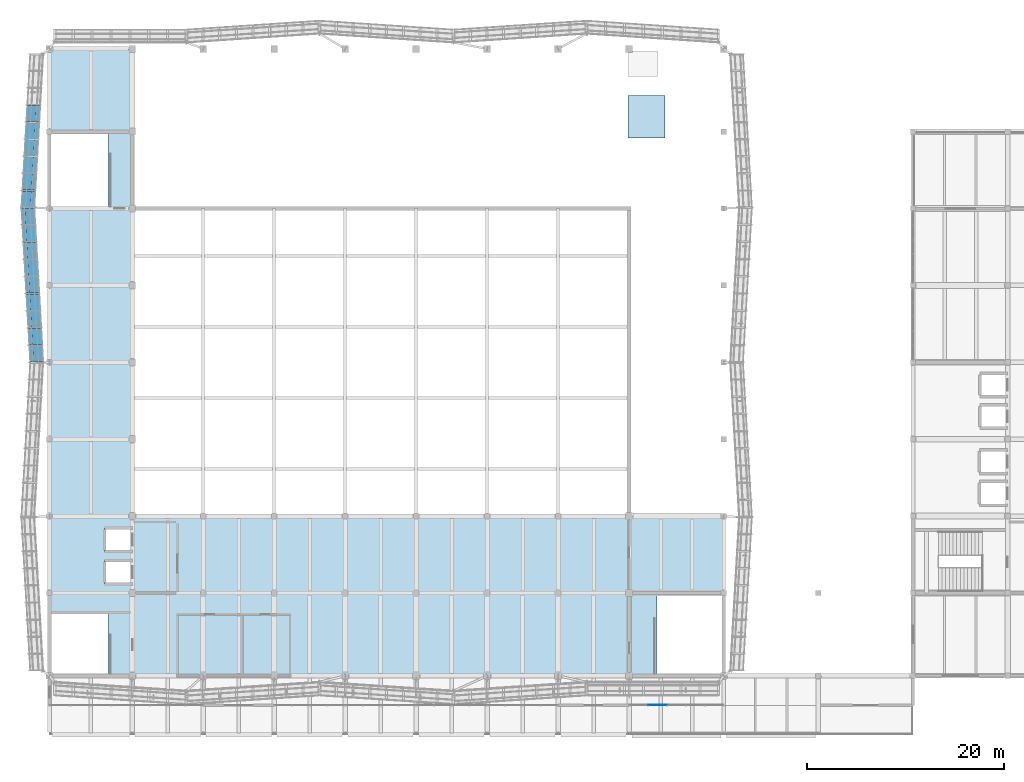
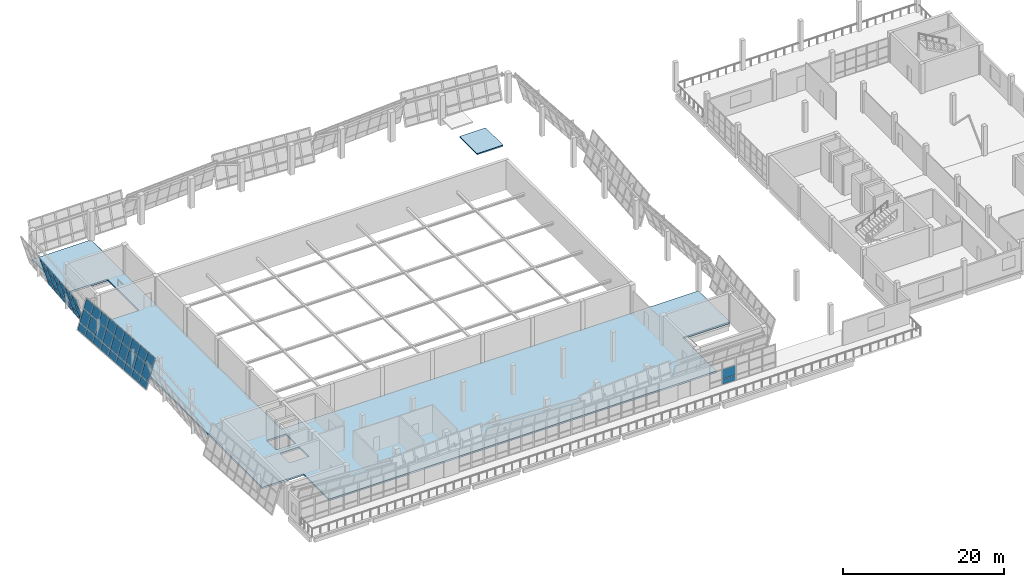
# One storey, part 38 of 67: 47 plates, 2 slabs, 3 elements without a shape of their own.
"""IFC4 building model written with IfcOpenShell, lengths in metres."""

from ifc_helpers import new_model, si_unit, direction, frame, origin, place, context, subcontext, project, spatial, polyline, outline, extrude, material, layer, layer_set, type_object, element, aggregate, save


model = new_model("IFC4")

# Units and contexts
model_context = context("Model", 3, precision=1e-05, world=origin(), true_north=direction((0.0, 1.0)))
body_context = subcontext(model_context, "Body", "Model", "MODEL_VIEW")
ifc_project = project(units=[si_unit("LENGTHUNIT", "METRE"), si_unit("AREAUNIT", "SQUARE_METRE"), si_unit("VOLUMEUNIT", "CUBIC_METRE"), si_unit("PLANEANGLEUNIT", "RADIAN"), si_unit("MASSUNIT", "GRAM", prefix="KILO")], contexts=[model_context])

# Site, building, storey
site_placement = place(None, origin())
site = spatial("IfcSite", under=ifc_project, at=site_placement, CompositionType="ELEMENT")
building_placement = place(site_placement, origin())
building = spatial("IfcBuilding", under=site, at=building_placement, Name="Pellamere Symphony Hall", CompositionType="ELEMENT")
storey_placement = place(building_placement, frame((0.0, 0.0, 19.5)))
storey = spatial("IfcBuildingStorey", under=building, at=storey_placement, Name="L04", CompositionType="ELEMENT", Elevation=19.5)

# Curtain wall, plates
ifc_material_1 = material(Name="Thermally Broken Anodised Aluminium 6063-T6 Curtain Wall", Category="aluminium")
curtain_wall_type_1 = type_object("IfcCurtainWallType", Name="Curtain Wall CW-01 (Tilted Faceted Crystal Low-Iron Curtain Wall)", PredefinedType="NOTDEFINED", material=ifc_material_1)
curtain_wall_1_placement = place(storey_placement, origin())
curtain_wall_1 = element("IfcCurtainWall", 1, at=curtain_wall_1_placement, inside=storey, type_object=curtain_wall_type_1, Name="Crystal Faceted Curtain Wall CW-CR15 (L04)", PredefinedType="NOTDEFINED")
ifc_material_2 = material(Name="Triple Laminated Acoustic Crystal Glazing 42mm", Category="glass")
ifc_layer_1 = layer(ifc_material_2, 0.0419921875, Name="Triple Laminated Acoustic Crystal Glazing 42mm")
ifc_layer_set_1 = layer_set([ifc_layer_1], Name="Triple Laminated Acoustic Crystal Glazing 42mm")
plate_type_1 = type_object("IfcPlateType", Name="Facade Panel GL-02 42mm", PredefinedType="CURTAIN_PANEL", material=ifc_layer_set_1)
plate_1_placement = place(storey_placement, frame((49.426513671875, 87.862548828125, 0.072021484375), z_axis=(0.95737017047, -0.055246445874, 0.283531633003), x_axis=(-0.057610619545, -0.998339129012, 0.0)))
plate_1 = element("IfcPlate", 2, at=plate_1_placement, type_object=plate_type_1, Name="CW1-041 crystal glass panel 4.1", PredefinedType="CURTAIN_PANEL", context=body_context, shape_type="SweptSolid", body=[
    extrude(outline(polyline([(0.0, 0.0), (1.6612063149993754, 3.469446951953614e-18), (1.6777890592484324, -1.0135155846352601), (0.0165827442490568, -1.0135155846352604), (0.0, 0.0)])), origin(), (0.0, 0.0, -1.0), 0.0419921875),
])
plate_2_placement = place(storey_placement, frame((49.1171875, 87.862548828125, 1.115966796875), z_axis=(0.957351997497, -0.055245397176, 0.283593192759), x_axis=(-0.057610619545, -0.998339129012, 0.0)))
plate_2 = element("IfcPlate", 3, at=plate_2_placement, type_object=plate_type_1, Name="CW1-041 crystal glass panel 4.2", PredefinedType="CURTAIN_PANEL", context=body_context, shape_type="SweptSolid", body=[
    extrude(outline(polyline([(0.0, 0.0), (1.6612063149993754, 3.469446951953614e-18), (1.6922339094127932, -1.8959542407330272), (0.031027594413417556, -1.8959542407330272), (0.0, 0.0)])), origin(), (0.0, 0.0, -1.0), 0.0419921875),
])
plate_3_placement = place(storey_placement, frame((48.557373046875, 87.862548828125, 3.005859375), z_axis=(0.957375213306, -0.055246736879, 0.283514548147), x_axis=(-0.057610619545, -0.998339129012, 0.0)))
plate_3 = element("IfcPlate", 4, at=plate_3_placement, type_object=plate_type_1, Name="CW1-041 crystal glass panel 4.3", PredefinedType="CURTAIN_PANEL", context=body_context, shape_type="SweptSolid", body=[
    extrude(outline(polyline([(0.0, 0.0), (1.6612063149993754, 6.938893903907228e-18), (1.685468599842143, -1.482968395744147), (0.02426228484276758, -1.482968395744147), (0.0, 0.0)])), origin(), (0.0, 0.0, -1.0), 0.0419921875),
])
plate_4_placement = place(storey_placement, frame((49.32666015625, 86.129150390625, 0.072021484375), z_axis=(0.957304871124, -0.05524267768, 0.283752762604), x_axis=(-0.057610619545, -0.998339129012, 0.0)))
plate_4 = element("IfcPlate", 5, at=plate_4_placement, type_object=plate_type_1, Name="CW1-041 crystal glass panel 5.1", PredefinedType="CURTAIN_PANEL", context=body_context, shape_type="SweptSolid", body=[
    extrude(outline(polyline([(0.0, 0.0), (1.6612063149993754, 0.0), (1.677803124341095, -1.0135847182066644), (0.01659680934171927, -1.0135847182066644), (0.0, 0.0)])), origin(), (0.0, 0.0, -1.0), 0.0419921875),
])
plate_5_placement = place(storey_placement, frame((49.017333984375, 86.129150390625, 1.115966796875), z_axis=(0.957351997497, -0.055245397176, 0.283593192759), x_axis=(-0.057610619545, -0.998339129012, 0.0)))
plate_5 = element("IfcPlate", 6, at=plate_5_placement, type_object=plate_type_1, Name="CW1-041 crystal glass panel 5.2", PredefinedType="CURTAIN_PANEL", context=body_context, shape_type="SweptSolid", body=[
    extrude(outline(polyline([(0.0, 0.0), (1.6612063149993754, 3.469446951953614e-18), (1.6922339094127932, -1.8959542407330272), (0.031027594413417556, -1.8959542407330272), (0.0, 0.0)])), origin(), (0.0, 0.0, -1.0), 0.0419921875),
])
plate_6_placement = place(storey_placement, frame((48.45751953125, 86.129150390625, 3.005859375), z_axis=(0.957330592308, -0.055244161959, 0.283665682802), x_axis=(-0.057610619545, -0.998339129012, 0.0)))
plate_6 = element("IfcPlate", 7, at=plate_6_placement, type_object=plate_type_1, Name="CW1-041 crystal glass panel 5.3", PredefinedType="CURTAIN_PANEL", context=body_context, shape_type="SweptSolid", body=[
    extrude(outline(polyline([(0.0, 0.0), (1.6612063149993754, 0.0), (1.6854826649348056, -1.4830375166207674), (0.024276349935430055, -1.4830375166207674), (0.0, 0.0)])), origin(), (0.0, 0.0, -1.0), 0.0419921875),
])
plate_7_placement = place(storey_placement, frame((49.2265625, 84.39599609375, 0.072021484375), z_axis=(0.957304871124, -0.05524267768, 0.283752762604), x_axis=(-0.057610619545, -0.998339129012, 0.0)))
plate_7 = element("IfcPlate", 8, at=plate_7_placement, type_object=plate_type_1, Name="CW1-041 crystal glass panel 6.1", PredefinedType="CURTAIN_PANEL", context=body_context, shape_type="SweptSolid", body=[
    extrude(outline(polyline([(0.0, 0.0), (1.6612063149993754, 0.0), (1.677803124341095, -1.0135847182066644), (0.01659680934171927, -1.0135847182066644), (0.0, 0.0)])), origin(), (0.0, 0.0, -1.0), 0.0419921875),
])
plate_8_placement = place(storey_placement, frame((48.917236328125, 84.39599609375, 1.115966796875), z_axis=(0.957351997497, -0.055245397176, 0.283593192759), x_axis=(-0.057610619545, -0.998339129012, 0.0)))
plate_8 = element("IfcPlate", 9, at=plate_8_placement, type_object=plate_type_1, Name="CW1-041 crystal glass panel 6.2", PredefinedType="CURTAIN_PANEL", context=body_context, shape_type="SweptSolid", body=[
    extrude(outline(polyline([(0.0, 0.0), (1.6612063149993754, 3.469446951953614e-18), (1.6922339094127932, -1.8959542407330272), (0.031027594413417556, -1.8959542407330272), (0.0, 0.0)])), origin(), (0.0, 0.0, -1.0), 0.0419921875),
])
plate_9_placement = place(storey_placement, frame((48.357421875, 84.39599609375, 3.005859375), z_axis=(0.957356629816, -0.055175198082, 0.283591221416), x_axis=(-0.057543270249, -0.998343013023, 1.9950465e-05)))
plate_9 = element("IfcPlate", 10, at=plate_9_placement, type_object=plate_type_1, Name="CW1-041 crystal glass panel 6.3", PredefinedType="CURTAIN_PANEL", context=body_context, shape_type="SweptSolid", body=[
    extrude(outline(polyline([(0.0, 0.0), (1.661206310888692, 0.0), (1.6854686040128641, -1.4829683910039115), (0.024276341774135235, -1.4830375121498305), (0.0, 0.0)])), origin(), (0.0, 0.0, -1.0), 0.0419921875),
])
plate_10_placement = place(storey_placement, frame((49.12646484375, 82.66259765625, 0.072021484375), z_axis=(0.95737017047, -0.055246445874, 0.283531633003), x_axis=(-0.057610619545, -0.998339129012, 0.0)))
plate_10 = element("IfcPlate", 11, at=plate_10_placement, type_object=plate_type_1, Name="CW1-041 crystal glass panel 7.1", PredefinedType="CURTAIN_PANEL", context=body_context, shape_type="SweptSolid", body=[
    extrude(outline(polyline([(0.0, 0.0), (1.6612063149993754, 3.469446951953614e-18), (1.6777890592484324, -1.0135155846352601), (0.0165827442490568, -1.0135155846352604), (0.0, 0.0)])), origin(), (0.0, 0.0, -1.0), 0.0419921875),
])
plate_11_placement = place(storey_placement, frame((48.8173828125, 82.66259765625, 1.115966796875), z_axis=(0.957351997497, -0.055245397176, 0.283593192759), x_axis=(-0.057610619545, -0.998339129012, 0.0)))
plate_11 = element("IfcPlate", 12, at=plate_11_placement, type_object=plate_type_1, Name="CW1-041 crystal glass panel 7.2", PredefinedType="CURTAIN_PANEL", context=body_context, shape_type="SweptSolid", body=[
    extrude(outline(polyline([(0.0, 0.0), (1.6612063149993754, 3.469446951953614e-18), (1.6922339094127932, -1.8959542407330272), (0.031027594413417556, -1.8959542407330272), (0.0, 0.0)])), origin(), (0.0, 0.0, -1.0), 0.0419921875),
])
plate_12_placement = place(storey_placement, frame((48.25732421875, 82.66259765625, 3.005859375), z_axis=(0.957375213306, -0.055246736879, 0.283514548147), x_axis=(-0.057610619545, -0.998339129012, 0.0)))
plate_12 = element("IfcPlate", 13, at=plate_12_placement, type_object=plate_type_1, Name="CW1-041 crystal glass panel 7.3", PredefinedType="CURTAIN_PANEL", context=body_context, shape_type="SweptSolid", body=[
    extrude(outline(polyline([(0.0, 0.0), (1.6612063149993754, 6.938893903907228e-18), (1.685468599842143, -1.482968395744147), (0.02426228484276758, -1.482968395744147), (0.0, 0.0)])), origin(), (0.0, 0.0, -1.0), 0.0419921875),
])
plate_13_placement = place(storey_placement, frame((49.026611328125, 80.92919921875, 0.072021484375), z_axis=(0.957304871124, -0.05524267768, 0.283752762604), x_axis=(-0.057610619545, -0.998339129012, 0.0)))
plate_13 = element("IfcPlate", 14, at=plate_13_placement, type_object=plate_type_1, Name="CW1-041 crystal glass panel 8.1", PredefinedType="CURTAIN_PANEL", context=body_context, shape_type="SweptSolid", body=[
    extrude(outline(polyline([(0.0, 0.0), (1.6612063149993754, 0.0), (1.677803124341095, -1.0135847182066644), (0.01659680934171927, -1.0135847182066644), (0.0, 0.0)])), origin(), (0.0, 0.0, -1.0), 0.0419921875),
])
plate_14_placement = place(storey_placement, frame((48.71728515625, 80.92919921875, 1.115966796875), z_axis=(0.957351997497, -0.055245397176, 0.283593192759), x_axis=(-0.057610619545, -0.998339129012, 0.0)))
plate_14 = element("IfcPlate", 15, at=plate_14_placement, type_object=plate_type_1, Name="CW1-041 crystal glass panel 8.2", PredefinedType="CURTAIN_PANEL", context=body_context, shape_type="SweptSolid", body=[
    extrude(outline(polyline([(0.0, 0.0), (1.6612063149993754, 3.469446951953614e-18), (1.6922339094127932, -1.8959542407330272), (0.031027594413417556, -1.8959542407330272), (0.0, 0.0)])), origin(), (0.0, 0.0, -1.0), 0.0419921875),
])
plate_15_placement = place(storey_placement, frame((48.157470703125, 80.92919921875, 3.005859375), z_axis=(0.957330592308, -0.055244161959, 0.283665682802), x_axis=(-0.057610619545, -0.998339129012, 0.0)))
plate_15 = element("IfcPlate", 16, at=plate_15_placement, type_object=plate_type_1, Name="CW1-041 crystal glass panel 8.3", PredefinedType="CURTAIN_PANEL", context=body_context, shape_type="SweptSolid", body=[
    extrude(outline(polyline([(0.0, 0.0), (1.6612063149993754, 0.0), (1.6854826649348056, -1.4830375166207674), (0.024276349935430055, -1.4830375166207674), (0.0, 0.0)])), origin(), (0.0, 0.0, -1.0), 0.0419921875),
])
plate_16_placement = place(storey_placement, frame((48.926513671875, 79.19580078125, 0.072021484375), z_axis=(0.957371033771, -0.0552301711, 0.283531888675), x_axis=(-0.057593652861, -0.998340107954, 0.0)))
plate_16 = element("IfcPlate", 17, at=plate_16_placement, type_object=plate_type_1, Name="CW1-041 crystal glass panel 9.1", PredefinedType="CURTAIN_PANEL", context=body_context, shape_type="SweptSolid", body=[
    extrude(outline(polyline([(0.0, 0.0), (1.6235445180063734, 6.938893903907228e-18), (1.6401223785345782, -1.0135156645290149), (0.016577860528204754, -1.0135156645290149), (0.0, 0.0)])), origin(), (0.0, 0.0, -1.0), 0.0419921875),
])
plate_17_placement = place(storey_placement, frame((48.6171875, 79.19580078125, 1.115966796875), z_axis=(0.95735286075, -0.055229122709, 0.283593448478), x_axis=(-0.057593652861, -0.998340107954, 0.0)))
plate_17 = element("IfcPlate", 18, at=plate_17_placement, type_object=plate_type_1, Name="CW1-041 crystal glass panel 9.2", PredefinedType="CURTAIN_PANEL", context=body_context, shape_type="SweptSolid", body=[
    extrude(outline(polyline([(0.0, 0.0), (1.6235445180063734, 0.0), (1.6545629746011314, -1.8959543902528653), (0.031018456594758003, -1.8959543902528653), (0.0, 0.0)])), origin(), (0.0, 0.0, -1.0), 0.0419921875),
])
plate_18_placement = place(storey_placement, frame((48.057373046875, 79.19580078125, 3.005859375), z_axis=(0.957376076622, -0.055230462019, 0.283514803806), x_axis=(-0.057593652861, -0.998340107954, 0.0)))
plate_18 = element("IfcPlate", 19, at=plate_18_placement, type_object=plate_type_1, Name="CW1-041 crystal glass panel 9.3", PredefinedType="CURTAIN_PANEL", context=body_context, shape_type="SweptSolid", body=[
    extrude(outline(polyline([(0.0, 0.0), (1.6235445180063734, 0.0), (1.647799657456037, -1.4829685126300012), (0.024255139449663444, -1.4829685126300012), (0.0, 0.0)])), origin(), (0.0, 0.0, -1.0), 0.0419921875),
])
aggregate(curtain_wall_1, [plate_1, plate_2, plate_3, plate_4, plate_5, plate_6, plate_7, plate_8, plate_9, plate_10, plate_11, plate_12, plate_13, plate_14, plate_15, plate_16, plate_17, plate_18])

curtain_wall_2_placement = place(storey_placement, origin())
curtain_wall_2 = element("IfcCurtainWall", 20, at=curtain_wall_2_placement, inside=storey, type_object=curtain_wall_type_1, Name="Crystal Faceted Curtain Wall CW-CR16 (L04)", PredefinedType="NOTDEFINED")
plate_19_placement = place(storey_placement, frame((47.54248046875, 77.425048828125, 0.072021484375), z_axis=(-0.957354651322, -0.054920794133, 0.283647277376), x_axis=(0.057279062662, -0.998358206542, 2.0277049e-05)))
plate_19 = element("IfcPlate", 21, at=plate_19_placement, type_object=plate_type_1, Name="CW1-046 crystal glass panel 1.1", PredefinedType="CURTAIN_PANEL", context=body_context, shape_type="SweptSolid", body=[
    extrude(outline(polyline([(0.0, 0.0), (1.6347704518540747, 0.0), (1.6512774679209214, 1.0135168141025692), (0.016521000213004483, 1.0135859499603574), (0.0, 0.0)])), origin(), (0.0, 0.0, -1.0), 0.0419921875),
])
plate_20_placement = place(storey_placement, frame((47.851806640625, 77.425048828125, 1.115966796875), z_axis=(-0.957372886168, -0.054850234166, 0.283599380541), x_axis=(0.057198647566, -0.998362817175, 0.0)))
plate_20 = element("IfcPlate", 22, at=plate_20_placement, type_object=plate_type_1, Name="CW1-046 crystal glass panel 1.2", PredefinedType="CURTAIN_PANEL", context=body_context, shape_type="SweptSolid", body=[
    extrude(outline(polyline([(0.0, 0.0), (1.6347564733470132, 0.0), (1.665562190273358, 1.8959578588073336), (0.03080571692634491, 1.8959578588073336), (0.0, 0.0)])), origin(), (0.0, 0.0, -1.0), 0.0419921875),
])
plate_21_placement = place(storey_placement, frame((48.41162109375, 77.425048828125, 3.005859375), z_axis=(-0.957370031361, -0.054921676444, 0.283595191264), x_axis=(0.057279060463, -0.998358206668, 2.0273651e-05)))
plate_21 = element("IfcPlate", 23, at=plate_21_placement, type_object=plate_type_1, Name="CW1-046 crystal glass panel 1.3", PredefinedType="CURTAIN_PANEL", context=body_context, shape_type="SweptSolid", body=[
    extrude(outline(polyline([(0.0, 0.0), (1.6347704518539405, -3.469446951953614e-18), (1.6589219345971065, 1.4829701997900355), (0.02416546688878671, 1.4830393229524153), (0.0, 0.0)])), origin(), (0.0, 0.0, -1.0), 0.0419921875),
])
plate_22_placement = place(storey_placement, frame((47.640380859375, 75.718017578125, 0.072021484375), z_axis=(-0.957324034181, -0.054880231266, 0.283758442686), x_axis=(0.057232737422, -0.998360863499, 0.0)))
plate_22 = element("IfcPlate", 24, at=plate_22_placement, type_object=plate_type_1, Name="CW1-046 crystal glass panel 2.1", PredefinedType="CURTAIN_PANEL", context=body_context, shape_type="SweptSolid", body=[
    extrude(outline(polyline([(0.0, 0.0), (1.6721745160346768, -6.938893903907228e-18), (1.6886624628505897, 1.013586494914077), (0.01648794681591293, 1.013586494914077), (0.0, 0.0)])), origin(), (0.0, 0.0, -1.0), 0.0419921875),
])
plate_23_placement = place(storey_placement, frame((47.94970703125, 75.718017578125, 1.115966796875), z_axis=(-0.957371163384, -0.054882933028, 0.283598870206), x_axis=(0.057232737422, -0.998360863499, 0.0)))
plate_23 = element("IfcPlate", 25, at=plate_23_placement, type_object=plate_type_1, Name="CW1-046 crystal glass panel 2.2", PredefinedType="CURTAIN_PANEL", context=body_context, shape_type="SweptSolid", body=[
    extrude(outline(polyline([(0.0, 0.0), (1.6721745160346768, 3.469446951953614e-18), (1.7029985928786633, 1.8959575604045968), (0.030824076843986373, 1.895957560404597), (0.0, 0.0)])), origin(), (0.0, 0.0, -1.0), 0.0419921875),
])
plate_24_placement = place(storey_placement, frame((48.509521484375, 75.718017578125, 3.005859375), z_axis=(-0.95734975691, -0.054881705866, 0.283671361447), x_axis=(0.057232737422, -0.998360863499, 0.0)))
plate_24 = element("IfcPlate", 26, at=plate_24_placement, type_object=plate_type_1, Name="CW1-046 crystal glass panel 2.3", PredefinedType="CURTAIN_PANEL", context=body_context, shape_type="SweptSolid", body=[
    extrude(outline(polyline([(0.0, 0.0), (1.6721745160346768, -3.469446951953614e-18), (1.6962916314620207, 1.4830401146342416), (0.024117115427343825, 1.4830401146342416), (0.0, 0.0)])), origin(), (0.0, 0.0, -1.0), 0.0419921875),
])
plate_25_placement = place(storey_placement, frame((47.740478515625, 73.9736328125, 0.072021484375), z_axis=(-0.957389337449, -0.054883974887, 0.283537309433), x_axis=(0.057232737422, -0.998360863499, 0.0)))
plate_25 = element("IfcPlate", 27, at=plate_25_placement, type_object=plate_type_1, Name="CW1-046 crystal glass panel 3.1", PredefinedType="CURTAIN_PANEL", context=body_context, shape_type="SweptSolid", body=[
    extrude(outline(polyline([(0.0, 0.0), (1.6721745160346768, 3.469446951953614e-18), (1.688648490014305, 1.01351735845357), (0.016473973979628256, 1.01351735845357), (0.0, 0.0)])), origin(), (0.0, 0.0, -1.0), 0.0419921875),
])
plate_26_placement = place(storey_placement, frame((48.0498046875, 73.9736328125, 1.115966796875), z_axis=(-0.957371163384, -0.054882933028, 0.283598870206), x_axis=(0.057232737422, -0.998360863499, 0.0)))
plate_26 = element("IfcPlate", 28, at=plate_26_placement, type_object=plate_type_1, Name="CW1-046 crystal glass panel 3.2", PredefinedType="CURTAIN_PANEL", context=body_context, shape_type="SweptSolid", body=[
    extrude(outline(polyline([(0.0, 0.0), (1.6721745160346768, 3.469446951953614e-18), (1.7029985928786633, 1.8959575604045968), (0.030824076843986373, 1.895957560404597), (0.0, 0.0)])), origin(), (0.0, 0.0, -1.0), 0.0419921875),
])
plate_27_placement = place(storey_placement, frame((48.609619140625, 73.9736328125, 3.005859375), z_axis=(-0.957394380588, -0.054884263994, 0.283520224294), x_axis=(0.057232737422, -0.998360863499, 0.0)))
plate_27 = element("IfcPlate", 29, at=plate_27_placement, type_object=plate_type_1, Name="CW1-046 crystal glass panel 3.3", PredefinedType="CURTAIN_PANEL", context=body_context, shape_type="SweptSolid", body=[
    extrude(outline(polyline([(0.0, 0.0), (1.6721745160346768, 3.469446951953614e-18), (1.696277658625736, 1.482970990869004), (0.02410314259105915, 1.482970990869004), (0.0, 0.0)])), origin(), (0.0, 0.0, -1.0), 0.0419921875),
])
plate_28_placement = place(storey_placement, frame((47.84033203125, 72.229248046875, 0.072021484375), z_axis=(-0.957324455748, -0.054872230831, 0.283758567642), x_axis=(0.057224396245, -0.998361341637, 0.0)))
plate_28 = element("IfcPlate", 30, at=plate_28_placement, type_object=plate_type_1, Name="CW1-046 crystal glass panel 4.1", PredefinedType="CURTAIN_PANEL", context=body_context, shape_type="SweptSolid", body=[
    extrude(outline(polyline([(0.0, 0.0), (1.6724182565382377, 0.0), (1.6889038003784336, 1.0135865340002803), (0.016485543840195648, 1.0135865340002805), (0.0, 0.0)])), origin(), (0.0, 0.0, -1.0), 0.0419921875),
])
plate_29_placement = place(storey_placement, frame((48.149658203125, 72.229248046875, 1.115966796875), z_axis=(-0.957371585014, -0.054874932201, 0.283598995104), x_axis=(0.057224396245, -0.998361341637, 0.0)))
plate_29 = element("IfcPlate", 31, at=plate_29_placement, type_object=plate_type_1, Name="CW1-046 crystal glass panel 4.2", PredefinedType="CURTAIN_PANEL", context=body_context, shape_type="SweptSolid", body=[
    extrude(outline(polyline([(0.0, 0.0), (1.6724182565382377, 3.469446951953614e-18), (1.703237841039485, 1.895957633434831), (0.030819584501247117, 1.895957633434831), (0.0, 0.0)])), origin(), (0.0, 0.0, -1.0), 0.0419921875),
])
plate_30_placement = place(storey_placement, frame((48.70947265625, 72.229248046875, 3.005859375), z_axis=(-0.957350178511, -0.054873705217, 0.283671486371), x_axis=(0.057224396245, -0.998361341637, 0.0)))
plate_30 = element("IfcPlate", 32, at=plate_30_placement, type_object=plate_type_1, Name="CW1-046 crystal glass panel 4.3", PredefinedType="CURTAIN_PANEL", context=body_context, shape_type="SweptSolid", body=[
    extrude(outline(polyline([(0.0, 0.0), (1.6724182565382377, 3.469446951953614e-18), (1.69653185710449, 1.48304017178855), (0.024113600566252277, 1.48304017178855), (0.0, 0.0)])), origin(), (0.0, 0.0, -1.0), 0.0419921875),
])
plate_31_placement = place(storey_placement, frame((47.9404296875, 70.48486328125, 0.072021484375), z_axis=(-0.957324455748, -0.054872230831, 0.283758567642), x_axis=(0.057224396245, -0.998361341637, 0.0)))
plate_31 = element("IfcPlate", 33, at=plate_31_placement, type_object=plate_type_1, Name="CW1-046 crystal glass panel 5.1", PredefinedType="CURTAIN_PANEL", context=body_context, shape_type="SweptSolid", body=[
    extrude(outline(polyline([(0.0, 0.0), (1.6724182565382377, 0.0), (1.6889038003784336, 1.0135865340002803), (0.016485543840195648, 1.0135865340002805), (0.0, 0.0)])), origin(), (0.0, 0.0, -1.0), 0.0419921875),
])
plate_32_placement = place(storey_placement, frame((48.249755859375, 70.48486328125, 1.115966796875), z_axis=(-0.957371585014, -0.054874932201, 0.283598995104), x_axis=(0.057224396245, -0.998361341637, 0.0)))
plate_32 = element("IfcPlate", 34, at=plate_32_placement, type_object=plate_type_1, Name="CW1-046 crystal glass panel 5.2", PredefinedType="CURTAIN_PANEL", context=body_context, shape_type="SweptSolid", body=[
    extrude(outline(polyline([(0.0, 0.0), (1.6724182565382377, 3.469446951953614e-18), (1.703237841039485, 1.895957633434831), (0.030819584501247117, 1.895957633434831), (0.0, 0.0)])), origin(), (0.0, 0.0, -1.0), 0.0419921875),
])
plate_33_placement = place(storey_placement, frame((48.8095703125, 70.48486328125, 3.005859375), z_axis=(-0.957350178511, -0.054873705217, 0.283671486371), x_axis=(0.057224396245, -0.998361341637, 0.0)))
plate_33 = element("IfcPlate", 35, at=plate_33_placement, type_object=plate_type_1, Name="CW1-046 crystal glass panel 5.3", PredefinedType="CURTAIN_PANEL", context=body_context, shape_type="SweptSolid", body=[
    extrude(outline(polyline([(0.0, 0.0), (1.6724182565382377, 3.469446951953614e-18), (1.69653185710449, 1.48304017178855), (0.024113600566252277, 1.48304017178855), (0.0, 0.0)])), origin(), (0.0, 0.0, -1.0), 0.0419921875),
])
plate_34_placement = place(storey_placement, frame((48.04052734375, 68.740234375, 0.072021484375), z_axis=(-0.957389337449, -0.054883974887, 0.283537309433), x_axis=(0.057232737422, -0.998360863499, 0.0)))
plate_34 = element("IfcPlate", 36, at=plate_34_placement, type_object=plate_type_1, Name="CW1-046 crystal glass panel 6.1", PredefinedType="CURTAIN_PANEL", context=body_context, shape_type="SweptSolid", body=[
    extrude(outline(polyline([(0.0, 0.0), (1.6721745160346768, 3.469446951953614e-18), (1.688648490014305, 1.01351735845357), (0.016473973979628256, 1.01351735845357), (0.0, 0.0)])), origin(), (0.0, 0.0, -1.0), 0.0419921875),
])
plate_35_placement = place(storey_placement, frame((48.349609375, 68.740234375, 1.115966796875), z_axis=(-0.957371163384, -0.054882933028, 0.283598870206), x_axis=(0.057232737422, -0.998360863499, 0.0)))
plate_35 = element("IfcPlate", 37, at=plate_35_placement, type_object=plate_type_1, Name="CW1-046 crystal glass panel 6.2", PredefinedType="CURTAIN_PANEL", context=body_context, shape_type="SweptSolid", body=[
    extrude(outline(polyline([(0.0, 0.0), (1.6721745160346768, 3.469446951953614e-18), (1.7029985928786633, 1.8959575604045968), (0.030824076843986373, 1.895957560404597), (0.0, 0.0)])), origin(), (0.0, 0.0, -1.0), 0.0419921875),
])
plate_36_placement = place(storey_placement, frame((48.90966796875, 68.740234375, 3.005859375), z_axis=(-0.957394380588, -0.054884263994, 0.283520224294), x_axis=(0.057232737422, -0.998360863499, 0.0)))
plate_36 = element("IfcPlate", 38, at=plate_36_placement, type_object=plate_type_1, Name="CW1-046 crystal glass panel 6.3", PredefinedType="CURTAIN_PANEL", context=body_context, shape_type="SweptSolid", body=[
    extrude(outline(polyline([(0.0, 0.0), (1.6721745160346768, 3.469446951953614e-18), (1.696277658625736, 1.482970990869004), (0.02410314259105915, 1.482970990869004), (0.0, 0.0)])), origin(), (0.0, 0.0, -1.0), 0.0419921875),
])
plate_37_placement = place(storey_placement, frame((48.140380859375, 66.995849609375, 0.072021484375), z_axis=(-0.957324034181, -0.054880231266, 0.283758442686), x_axis=(0.057232737422, -0.998360863499, 0.0)))
plate_37 = element("IfcPlate", 39, at=plate_37_placement, type_object=plate_type_1, Name="CW1-046 crystal glass panel 7.1", PredefinedType="CURTAIN_PANEL", context=body_context, shape_type="SweptSolid", body=[
    extrude(outline(polyline([(0.0, 0.0), (1.6721745160346768, -6.938893903907228e-18), (1.6886624628505897, 1.013586494914077), (0.01648794681591293, 1.013586494914077), (0.0, 0.0)])), origin(), (0.0, 0.0, -1.0), 0.0419921875),
])
plate_38_placement = place(storey_placement, frame((48.44970703125, 66.995849609375, 1.115966796875), z_axis=(-0.957371163384, -0.054882933028, 0.283598870206), x_axis=(0.057232737422, -0.998360863499, 0.0)))
plate_38 = element("IfcPlate", 40, at=plate_38_placement, type_object=plate_type_1, Name="CW1-046 crystal glass panel 7.2", PredefinedType="CURTAIN_PANEL", context=body_context, shape_type="SweptSolid", body=[
    extrude(outline(polyline([(0.0, 0.0), (1.6721745160346768, 3.469446951953614e-18), (1.7029985928786633, 1.8959575604045968), (0.030824076843986373, 1.895957560404597), (0.0, 0.0)])), origin(), (0.0, 0.0, -1.0), 0.0419921875),
])
plate_39_placement = place(storey_placement, frame((49.009521484375, 66.995849609375, 3.005859375), z_axis=(-0.95734975691, -0.054881705866, 0.283671361447), x_axis=(0.057232737422, -0.998360863499, 0.0)))
plate_39 = element("IfcPlate", 41, at=plate_39_placement, type_object=plate_type_1, Name="CW1-046 crystal glass panel 7.3", PredefinedType="CURTAIN_PANEL", context=body_context, shape_type="SweptSolid", body=[
    extrude(outline(polyline([(0.0, 0.0), (1.6721745160346768, -3.469446951953614e-18), (1.6962916314620207, 1.4830401146342416), (0.024117115427343825, 1.4830401146342416), (0.0, 0.0)])), origin(), (0.0, 0.0, -1.0), 0.0419921875),
])
plate_40_placement = place(storey_placement, frame((48.240478515625, 65.25146484375, 0.072021484375), z_axis=(-0.957389759102, -0.05487597391, 0.283537434308), x_axis=(0.057224396245, -0.998361341637, 0.0)))
plate_40 = element("IfcPlate", 42, at=plate_40_placement, type_object=plate_type_1, Name="CW1-046 crystal glass panel 8.1", PredefinedType="CURTAIN_PANEL", context=body_context, shape_type="SweptSolid", body=[
    extrude(outline(polyline([(0.0, 0.0), (1.6724182565382377, 0.0), (1.6888898295785688, 1.0135173974762153), (0.016471573040331075, 1.0135173974762153), (0.0, 0.0)])), origin(), (0.0, 0.0, -1.0), 0.0419921875),
])
plate_41_placement = place(storey_placement, frame((48.5498046875, 65.25146484375, 1.115966796875), z_axis=(-0.957371585014, -0.054874932201, 0.283598995104), x_axis=(0.057224396245, -0.998361341637, 0.0)))
plate_41 = element("IfcPlate", 43, at=plate_41_placement, type_object=plate_type_1, Name="CW1-046 crystal glass panel 8.2", PredefinedType="CURTAIN_PANEL", context=body_context, shape_type="SweptSolid", body=[
    extrude(outline(polyline([(0.0, 0.0), (1.6724182565382377, 3.469446951953614e-18), (1.703237841039485, 1.895957633434831), (0.030819584501247117, 1.895957633434831), (0.0, 0.0)])), origin(), (0.0, 0.0, -1.0), 0.0419921875),
])
plate_42_placement = place(storey_placement, frame((49.109619140625, 65.25146484375, 3.005859375), z_axis=(-0.957394802248, -0.054876262974, 0.283520349164), x_axis=(0.057224396245, -0.998361341637, 0.0)))
plate_42 = element("IfcPlate", 44, at=plate_42_placement, type_object=plate_type_1, Name="CW1-046 crystal glass panel 8.3", PredefinedType="CURTAIN_PANEL", context=body_context, shape_type="SweptSolid", body=[
    extrude(outline(polyline([(0.0, 0.0), (1.6724182565382377, -3.469446951953614e-18), (1.6965178863046255, 1.482971047959765), (0.024099629766387704, 1.482971047959765), (0.0, 0.0)])), origin(), (0.0, 0.0, -1.0), 0.0419921875),
])
plate_43_placement = place(storey_placement, frame((48.34033203125, 63.507080078125, 0.072021484375), z_axis=(-0.957355083187, -0.054912604607, 0.28364740533), x_axis=(0.057270523753, -0.99835869641, 2.0274044e-05)))
plate_43 = element("IfcPlate", 45, at=plate_43_placement, type_object=plate_type_1, Name="CW1-046 crystal glass panel 9.1", PredefinedType="CURTAIN_PANEL", context=body_context, shape_type="SweptSolid", body=[
    extrude(outline(polyline([(0.0, 0.0), (1.6350141907520115, 6.938893903907228e-18), (1.6515187460439522, 1.0135168541778947), (0.016518537353403733, 1.0135859901008746), (0.0, 0.0)])), origin(), (0.0, 0.0, -1.0), 0.0419921875),
])
plate_44_placement = place(storey_placement, frame((48.649658203125, 63.507080078125, 1.115966796875), z_axis=(-0.957373316932, -0.054842055098, 0.283599508144), x_axis=(0.057190120561, -0.998363305671, 0.0)))
plate_44 = element("IfcPlate", 46, at=plate_44_placement, type_object=plate_type_1, Name="CW1-046 crystal glass panel 9.2", PredefinedType="CURTAIN_PANEL", context=body_context, shape_type="SweptSolid", body=[
    extrude(outline(polyline([(0.0, 0.0), (1.6350002143288105, -3.469446951953614e-18), (1.6658013388302597, 1.8959579334199588), (0.030801124501449315, 1.8959579334199588), (0.0, 0.0)])), origin(), (0.0, 0.0, -1.0), 0.0419921875),
])
plate_45_placement = place(storey_placement, frame((49.20947265625, 63.507080078125, 3.005859375), z_axis=(-0.957370463247, -0.054913486787, 0.283595319199), x_axis=(0.057270521555, -0.998358696536, 2.0270647e-05)))
plate_45 = element("IfcPlate", 47, at=plate_45_placement, type_object=plate_type_1, Name="CW1-046 crystal glass panel 9.3", PredefinedType="CURTAIN_PANEL", context=body_context, shape_type="SweptSolid", body=[
    extrude(outline(polyline([(0.0, 0.0), (1.6350141907518774, 6.938893903907228e-18), (1.6591620731252066, 1.4829702584208702), (0.024161864434255585, 1.4830393816484306), (0.0, 0.0)])), origin(), (0.0, 0.0, -1.0), 0.0419921875),
])
aggregate(curtain_wall_2, [plate_19, plate_20, plate_21, plate_22, plate_23, plate_24, plate_25, plate_26, plate_27, plate_28, plate_29, plate_30, plate_31, plate_32, plate_33, plate_34, plate_35, plate_36, plate_37, plate_38, plate_39, plate_40, plate_41, plate_42, plate_43, plate_44, plate_45])

curtain_wall_type_2 = type_object("IfcCurtainWallType", Name="Curtain Wall CW-06 (Belvedere Terrace Clerestory Curtain Wall)", PredefinedType="NOTDEFINED", material=ifc_material_1)
curtain_wall_3_placement = place(storey_placement, origin())
curtain_wall_3 = element("IfcCurtainWall", 48, at=curtain_wall_3_placement, inside=storey, type_object=curtain_wall_type_2, Name="Winter-Garden South Curtain Wall (L04 Bay 9)", PredefinedType="NOTDEFINED")
ifc_material_3 = material(Name="Mineral-Wool Insulated Dark Zinc Spandrel Panel", Category="aluminium")
ifc_layer_2 = layer(ifc_material_3, 0.054931640625, Name="Mineral-Wool Insulated Dark Zinc Spandrel Panel")
ifc_layer_set_2 = layer_set([ifc_layer_2], Name="Mineral-Wool Insulated Dark Zinc Spandrel Panel")
plate_type_2 = type_object("IfcPlateType", Name="Facade Panel SP-02 55mm", PredefinedType="CURTAIN_PANEL", material=ifc_layer_set_2)
plate_46_placement = place(storey_placement, frame((111.152587890625, 27.0, 0.06494140625), z_axis=(0.0, -1.0, 0.0), x_axis=(1.0, 0.0, 0.0)))
plate_46 = element("IfcPlate", 49, at=plate_46_placement, type_object=plate_type_2, Name="CW2-101 crystal glass panel 2.1", PredefinedType="CURTAIN_PANEL", context=body_context, shape_type="SweptSolid", body=[
    extrude(outline(polyline([(0.0, 0.0), (1.85498046875, 0.0), (1.85498046875, 0.76123046875), (0.0, 0.76123046875), (0.0, 0.0)])), origin(), (0.0, 0.0, -1.0), 0.054931640625),
])
plate_47_placement = place(storey_placement, frame((111.152587890625, 27.0, 0.89111328125), z_axis=(0.0, -1.0, 0.0), x_axis=(1.0, 0.0, 0.0)))
plate_47 = element("IfcPlate", 50, at=plate_47_placement, type_object=plate_type_2, Name="CW2-101 crystal glass panel 2.2", PredefinedType="CURTAIN_PANEL", context=body_context, shape_type="SweptSolid", body=[
    extrude(outline(polyline([(0.0, 0.0), (1.85498046875, 0.0), (1.85498046875, 1.4375), (0.0, 1.4375), (0.0, 0.0)])), origin(), (0.0, 0.0, -1.0), 0.054931640625),
])
aggregate(curtain_wall_3, [plate_46, plate_47])

# Slabs
ifc_material_4 = material(Name="Concrete 40 MPa", Category="concrete")
ifc_layer_3 = layer(ifc_material_4, 0.260009765625, Name="Concrete 40 MPa")
ifc_layer_set_3 = layer_set([ifc_layer_3], Name="Concrete 40 MPa")
slab_type_1 = type_object("IfcSlabType", Name="Structural Slab FS-04 260mm", PredefinedType="FLOOR", material=ifc_layer_set_3)
slab_1_placement = place(storey_placement, frame((0.0, 0.0, -0.260009765625)))
element("IfcSlab", 51, at=slab_1_placement, inside=storey, type_object=slab_type_1, Name="Floor Slab L04-V1B-1", PredefinedType="FLOOR", context=body_context, shape_type="SweptSolid", body=[
    extrude(outline(polyline([(118.800048828125, 38.39990234375), (112.02490234375, 38.39990234375), (112.02490234375, 30.0), (56.324951171875, 30.0), (56.324951171875, 36.39990234375), (50.39990234375, 36.39990234375), (50.39990234375, 46.199951171875), (50.39990234375, 77.39990234375), (56.324951171875, 77.39990234375), (56.324951171875, 85.199951171875), (50.39990234375, 85.199951171875), (50.39990234375, 93.60009765625), (58.800048828125, 93.60009765625), (58.800048828125, 46.199951171875), (118.800048828125, 46.199951171875), (118.800048828125, 38.39990234375)]), holes=[polyline([(58.800048828125, 41.675048828125), (56.0, 41.675048828125), (56.0, 39.324951171875), (58.800048828125, 39.324951171875), (58.800048828125, 41.675048828125)]), polyline([(58.800048828125, 44.97509765625), (56.0, 44.97509765625), (56.0, 42.625), (58.800048828125, 42.625), (58.800048828125, 44.97509765625)])]), origin(), (0.0, 0.0, 1.0), 0.260009765625),
])
ifc_material_5 = material(Name="Precast concrete 40 MPa", Category="concrete")
ifc_layer_4 = layer(ifc_material_5, 0.199951171875, Name="Precast concrete 40 MPa")
ifc_layer_set_4 = layer_set([ifc_layer_4], Name="Precast concrete 40 MPa")
slab_type_2 = type_object("IfcSlabType", Name="Structural Slab RS-03 200mm", PredefinedType="ROOF", material=ifc_layer_set_4)
slab_2_placement = place(storey_placement, frame((0.0, 0.0, 0.800048828125)))
element("IfcSlab", 52, at=slab_2_placement, inside=storey, type_object=slab_type_2, Name="Elevator GL1 Hoistway Overrun Cap Slab", PredefinedType="ROOF", context=body_context, shape_type="SweptSolid", body=[
    extrude(outline(polyline([(109.080078125, 84.530029296875), (112.820068359375, 84.530029296875), (112.820068359375, 88.8701171875), (109.080078125, 88.8701171875), (109.080078125, 84.530029296875)])), origin(), (0.0, 0.0, 1.0), 0.199951171875),
])

save(model, "model.ifc")
